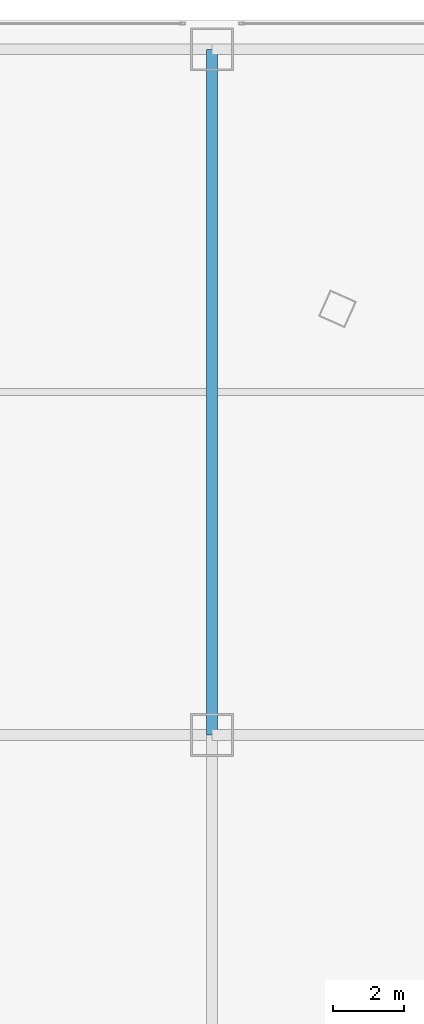
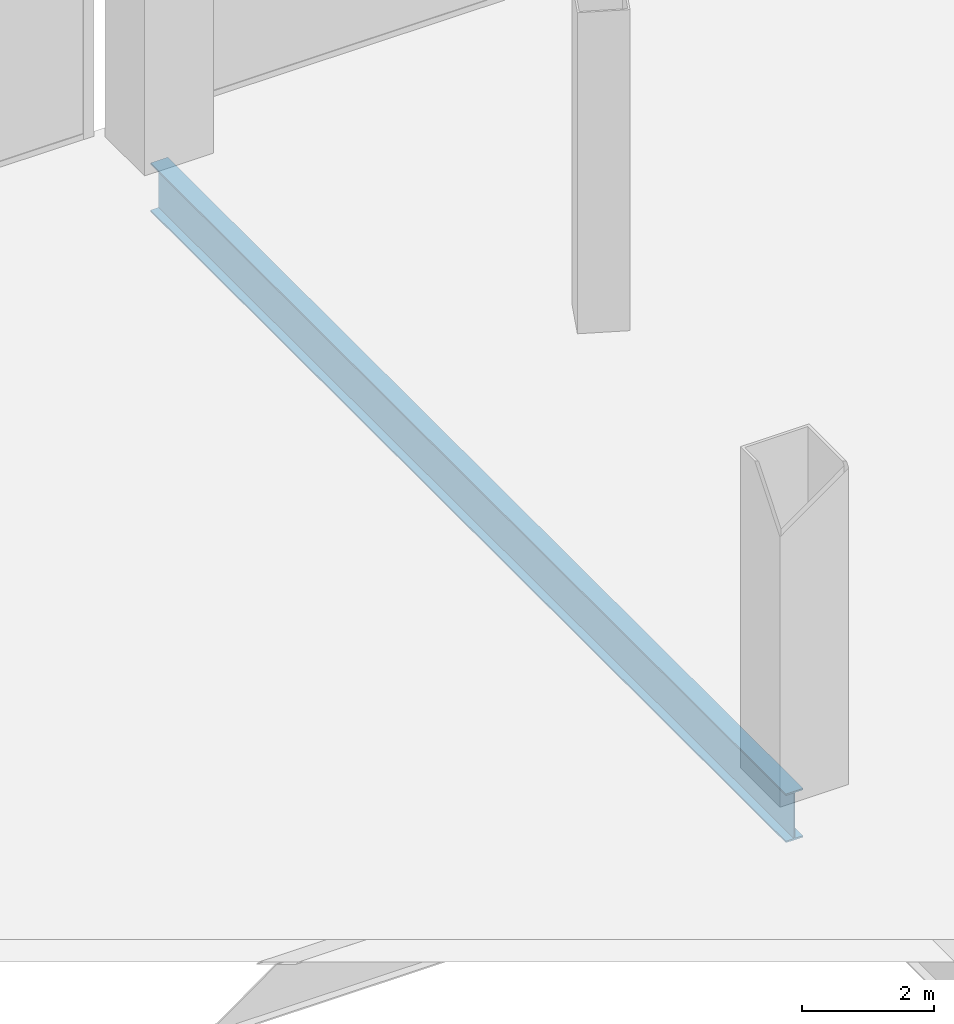
# One storey, part 25 of 41: 1 beam.
"""IFC4 building model written with IfcOpenShell, lengths in metres."""

import ifcopenshell
import ifcopenshell.guid

model = None  # the IFC model being written
_history = None  # IfcOwnerHistory: only IFC2X3 demands one
_inside = {}  # id of a spatial element -> (the spatial element, [elements in it])
_under = {}  # id of a project, library or spatial element -> (it, [spatial elements below it])
_declared = {}  # id of a project -> (the project, [libraries it declares])
_typed = {}  # id of a type object -> (the type object, [elements of that type])
_made_of = {}  # id of a material, layer set ... -> (it, [elements and type objects made of it])


def new_model(schema):
    """Start an empty IFC model of exactly this schema.

    Asked for "IFC4X3", IfcOpenShell would pick the latest addendum, in which some entities
    have other attributes; the version numbers below select the first issue.
    IFC2X3 requires an IfcOwnerHistory on every rooted entity: one is made here for all.
    """
    global model, _history
    if schema == "IFC4X3":
        model = ifcopenshell.file(schema_version=(4, 3, 0, 0))
    else:
        model = ifcopenshell.file(schema=schema)
    _inside.clear()
    _under.clear()
    _declared.clear()
    _typed.clear()
    _made_of.clear()
    _history = None
    if model.schema == "IFC2X3":
        org = make("IfcOrganization", Name="unknown")
        user = make(
            "IfcPersonAndOrganization",
            ThePerson=make("IfcPerson", FamilyName="unknown"),
            TheOrganization=org,
        )
        app = make(
            "IfcApplication",
            ApplicationDeveloper=org,
            Version="unknown",
            ApplicationFullName="unknown",
            ApplicationIdentifier="unknown",
        )
        _history = make(
            "IfcOwnerHistory",
            OwningUser=user,
            OwningApplication=app,
            ChangeAction="ADDED",
            CreationDate=0,
        )
    return model


def make(cls, **values):
    """One entity of the class cls with the attributes given. An attribute that is None is left unset."""
    return model.create_entity(
        cls, **{name: value for name, value in values.items() if value is not None}
    )


def rooted(cls, **values):
    """An entity with a GlobalId (a new one), such as an element, a storey or a relation."""
    return make(cls, GlobalId=ifcopenshell.guid.new(), OwnerHistory=_history, **values)


def si_unit(unit_type, name, prefix=None):
    """IfcSIUnit, for example si_unit("LENGTHUNIT", "METRE", prefix="MILLI")."""
    return make("IfcSIUnit", UnitType=unit_type, Prefix=prefix, Name=name)


def assignment(units):
    """IfcUnitAssignment: the units of a project."""
    return None if units is None else make("IfcUnitAssignment", Units=units)


def point(xyz):
    """IfcCartesianPoint."""
    return None if xyz is None else make("IfcCartesianPoint", Coordinates=xyz)


def direction(xyz):
    """IfcDirection."""
    return None if xyz is None else make("IfcDirection", DirectionRatios=xyz)


def frame(location, z_axis=None, x_axis=None):
    """IfcAxis2Placement3D, a coordinate frame: its origin and axes. An axis left out is left unset."""
    return make(
        "IfcAxis2Placement3D",
        Location=point(location),
        Axis=direction(z_axis),
        RefDirection=direction(x_axis),
    )


def frame_2d(location, x_axis=None):
    """IfcAxis2Placement2D, a coordinate frame in the plane: its origin and x axis."""
    return make(
        "IfcAxis2Placement2D", Location=point(location), RefDirection=direction(x_axis)
    )


def origin():
    """The frame at (0, 0, 0) with its axes left unset."""
    return frame((0.0, 0.0, 0.0))


def origin_2d():
    """The frame at (0, 0) in the plane with its x axis left unset."""
    return frame_2d((0.0, 0.0))


def place(relative_to, where):
    """IfcLocalPlacement: puts the frame where relative to a parent placement (None: the world)."""
    return make(
        "IfcLocalPlacement", PlacementRelTo=relative_to, RelativePlacement=where
    )


def context(
    kind, dimensions, precision=None, world=None, true_north=None, identifier=None
):
    """IfcGeometricRepresentationContext, for example the 3D "Model" context."""
    return make(
        "IfcGeometricRepresentationContext",
        ContextIdentifier=identifier,
        ContextType=kind,
        CoordinateSpaceDimension=dimensions,
        Precision=precision,
        WorldCoordinateSystem=world,
        TrueNorth=true_north,
    )


def subcontext(parent, identifier, kind, view, scale=None):
    """IfcGeometricRepresentationSubContext, for example "Body" below "Model"."""
    return make(
        "IfcGeometricRepresentationSubContext",
        ContextIdentifier=identifier,
        ContextType=kind,
        ParentContext=parent,
        TargetScale=scale,
        TargetView=view,
    )


def project(units=None, contexts=None):
    """IfcProject with its units and contexts."""
    return rooted(
        "IfcProject",
        Name="project",
        RepresentationContexts=contexts,
        UnitsInContext=assignment(units),
    )


def spatial(cls, under=None, at=None, **own):
    """A site, building, storey or space (cls), placed at a placement, below another one or the project."""
    s = rooted(cls, ObjectPlacement=at, **own)
    if under is not None:
        _under.setdefault(under.id(), (under, []))[1].append(s)
    return s


def profile(cls, at=None, kind="AREA", **sizes):
    """A parametric profile (cls). Its sizes go by their IFC names, for example OverallWidth=200.0."""
    return make(cls, ProfileType=kind, Position=at, **sizes)


def i_section(**sizes):
    """IfcIShapeProfileDef."""
    return profile("IfcIShapeProfileDef", **sizes)


def extrude(swept, where, along, depth):
    """IfcExtrudedAreaSolid: the profile swept, set in the frame where, extruded along a direction by depth."""
    return make(
        "IfcExtrudedAreaSolid",
        SweptArea=swept,
        Position=where,
        ExtrudedDirection=direction(along),
        Depth=depth,
    )


def shape(context_of_items, identifier, shape_type, items):
    """IfcShapeRepresentation: the items that make up one representation, for example the "Body"."""
    return make(
        "IfcShapeRepresentation",
        ContextOfItems=context_of_items,
        RepresentationIdentifier=identifier,
        RepresentationType=shape_type,
        Items=items,
    )


def source(mapping_origin, context_of_items, identifier, shape_type, items):
    """IfcRepresentationMap: a shape defined once, which mapped items show again and again."""
    return make(
        "IfcRepresentationMap",
        MappingOrigin=mapping_origin,
        MappedRepresentation=shape(context_of_items, identifier, shape_type, items),
    )


def transform(
    local_origin,
    x_axis=None,
    y_axis=None,
    z_axis=None,
    scale=None,
    scale2=None,
    scale3=None,
    uniform=True,
):
    """IfcCartesianTransformationOperator3D, or its non-uniform kind. x_axis, y_axis, z_axis: its Axis1, 2, 3."""
    if uniform:
        return make(
            "IfcCartesianTransformationOperator3D",
            Axis1=direction(x_axis),
            Axis2=direction(y_axis),
            LocalOrigin=point(local_origin),
            Scale=scale,
            Axis3=direction(z_axis),
        )
    return make(
        "IfcCartesianTransformationOperator3DnonUniform",
        Axis1=direction(x_axis),
        Axis2=direction(y_axis),
        LocalOrigin=point(local_origin),
        Scale=scale,
        Axis3=direction(z_axis),
        Scale2=scale2,
        Scale3=scale3,
    )


def mapped(mapping_source, mapping_target):
    """IfcMappedItem: shows the shape of a source again, moved by a transform."""
    return make(
        "IfcMappedItem", MappingSource=mapping_source, MappingTarget=mapping_target
    )


def material(Name=None, Category=None):
    """IfcMaterial."""
    return make("IfcMaterial", Name=Name, Category=Category)


def material_profile(
    of_material, cross_section, Name=None, Category=None, Priority=None
):
    """IfcMaterialProfile: a cross section and its material."""
    return make(
        "IfcMaterialProfile",
        Name=Name,
        Material=of_material,
        Profile=cross_section,
        Priority=Priority,
        Category=Category,
    )


def profile_set(profiles, Name=None, composite=None):
    """IfcMaterialProfileSet."""
    return make(
        "IfcMaterialProfileSet",
        Name=Name,
        MaterialProfiles=profiles,
        CompositeProfile=composite,
    )


def made_of(thing, what):
    """Note that an element or type object is made of a material, layer set ...; save() writes the relation."""
    if what is not None:
        _made_of.setdefault(what.id(), (what, []))[1].append(thing)
    return thing


def type_object(cls, material=None, **own):
    """A type object (cls), such as IfcWallType, which elements share."""
    return made_of(rooted(cls, **own), material)


def element(
    cls,
    number,
    at=None,
    inside=None,
    cuts=None,
    type_object=None,
    material=None,
    context=None,
    identifier="Body",
    shape_type=None,
    held_by="IfcProductDefinitionShape",
    body=None,
    shapes=None,
    **own,
):
    """One element of the class cls, such as IfcWall. Its Tag is "e" and its number.

    at: its placement. inside: the storey or other place that contains it. cuts: it is an
    opening in that element (IfcRelVoidsElement). A single representation is given by context,
    identifier, shape_type and body (its items); several are given by shapes. held_by: the class
    of the entity that holds the representations. save() writes the other relations.
    """
    e = rooted(cls, Tag="e%d" % number, ObjectPlacement=at, **own)
    if body is not None:
        shapes = [shape(context, identifier, shape_type, body)]
    if shapes is not None:
        e.Representation = make(held_by, Representations=shapes)
    if inside is not None:
        _inside.setdefault(inside.id(), (inside, []))[1].append(e)
    if cuts is not None:
        rooted(
            "IfcRelVoidsElement", RelatingBuildingElement=cuts, RelatedOpeningElement=e
        )
    if type_object is not None:
        _typed.setdefault(type_object.id(), (type_object, []))[1].append(e)
    return made_of(e, material)


def aggregate(whole, parts):
    """IfcRelAggregates: a whole, such as a stair, and the parts it consists of."""
    return rooted("IfcRelAggregates", RelatingObject=whole, RelatedObjects=parts)


def save(model, path):
    """Write the relations noted so far, then the file.

    IfcRelAggregates (storeys below a building ...), IfcRelContainedInSpatialStructure (elements
    in a storey), IfcRelDefinesByType, IfcRelAssociatesMaterial and IfcRelDeclares: one each for
    every whole, place, type object, material and project.
    """
    for whole, parts in _under.values():
        aggregate(whole, parts)
    for where, things in _inside.values():
        rooted(
            "IfcRelContainedInSpatialStructure",
            RelatedElements=things,
            RelatingStructure=where,
        )
    for kind, things in _typed.values():
        rooted("IfcRelDefinesByType", RelatedObjects=things, RelatingType=kind)
    for what, things in _made_of.values():
        rooted("IfcRelAssociatesMaterial", RelatedObjects=things, RelatingMaterial=what)
    for by, libraries in _declared.values():
        rooted("IfcRelDeclares", RelatingContext=by, RelatedDefinitions=libraries)
    model.write(path)


model = new_model("IFC4")

# Units and contexts
model_context = context("Model", 3, precision=1e-05, world=origin(), true_north=direction((0.0, 1.0)))
body_context = subcontext(model_context, "Body", "Model", "MODEL_VIEW")
ifc_project = project(units=[si_unit("LENGTHUNIT", "METRE"), si_unit("AREAUNIT", "SQUARE_METRE"), si_unit("VOLUMEUNIT", "CUBIC_METRE"), si_unit("PLANEANGLEUNIT", "RADIAN"), si_unit("MASSUNIT", "GRAM", prefix="KILO"), si_unit("THERMODYNAMICTEMPERATUREUNIT", "KELVIN"), si_unit("POWERUNIT", "WATT")], contexts=[model_context])

# Site, building, storey
site_placement = place(None, origin())
site = spatial("IfcSite", under=ifc_project, at=site_placement, CompositionType="ELEMENT")
building_placement = place(site_placement, origin())
building = spatial("IfcBuilding", under=site, at=building_placement, Name="Yunzhuo Pagoda Commons", CompositionType="ELEMENT")
storey_placement = place(building_placement, frame((0.0, 0.0, 19.199951171875)))
storey = spatial("IfcBuildingStorey", under=building, at=storey_placement, Name="L05", CompositionType="ELEMENT", Elevation=19.199951171875)

# Beam
ifc_material = material(Name="Structural steel Q355B", Category="steel")
ifc_material_profile = material_profile(ifc_material, i_section(OverallWidth=0.300048828125, OverallDepth=0.89990234375, WebThickness=0.01611328125, FlangeThickness=0.028076171875, at=origin_2d()), Name="Structural steel Q355B")
ifc_profile_set = profile_set([ifc_material_profile], Name="Structural steel Q355B")
beam_type = type_object("IfcBeamType", Name="B-PD1 Beam HN 900x300x16x28", PredefinedType="BEAM", material=ifc_profile_set)
shared_shape = source(origin(), body_context, "Body", "SweptSolid", [
    extrude(i_section(OverallWidth=0.300048828125, OverallDepth=0.89990234375, WebThickness=0.01611328125, FlangeThickness=0.028076171875, at=origin_2d()), origin(), (0.0, 0.0, 1.0), 19.199951171875),
])
beam_placement = place(storey_placement, frame((62.39990234375, 62.0, -0.72998046875), z_axis=(0.0, 1.0, 0.0), x_axis=(-1.0, 0.0, 0.0)))
element("IfcBeam", 1, at=beam_placement, inside=storey, type_object=beam_type, Name="L05 podium girder NS 4.4", PredefinedType="BEAM", context=body_context, shape_type="MappedRepresentation", body=[
    mapped(shared_shape, transform((0.0, 0.0, 0.0), scale=1.0)),
])

save(model, "model.ifc")
